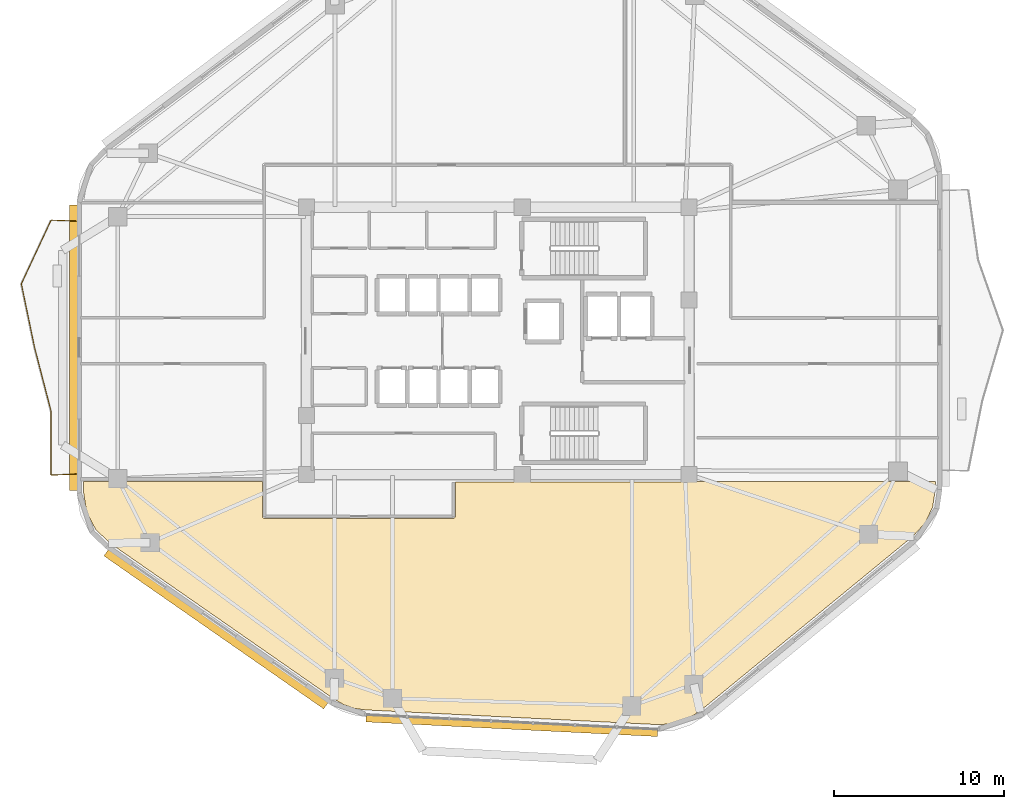
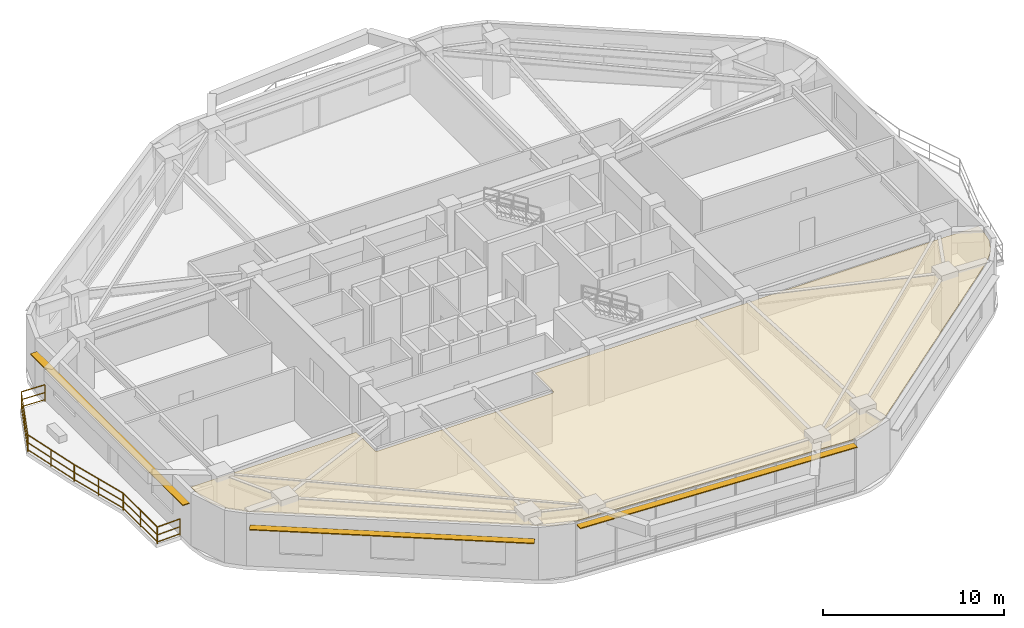
# One storey, part 12 of 14: 6 railings, 3 shading devices, 1 covering.
"""IFC4 building model written with IfcOpenShell, lengths in metres."""

import ifcopenshell
import ifcopenshell.guid

model = None  # the IFC model being written
_history = None  # IfcOwnerHistory: only IFC2X3 demands one
_inside = {}  # id of a spatial element -> (the spatial element, [elements in it])
_under = {}  # id of a project, library or spatial element -> (it, [spatial elements below it])
_declared = {}  # id of a project -> (the project, [libraries it declares])
_typed = {}  # id of a type object -> (the type object, [elements of that type])
_made_of = {}  # id of a material, layer set ... -> (it, [elements and type objects made of it])


def new_model(schema):
    """Start an empty IFC model of exactly this schema.

    Asked for "IFC4X3", IfcOpenShell would pick the latest addendum, in which some entities
    have other attributes; the version numbers below select the first issue.
    IFC2X3 requires an IfcOwnerHistory on every rooted entity: one is made here for all.
    """
    global model, _history
    if schema == "IFC4X3":
        model = ifcopenshell.file(schema_version=(4, 3, 0, 0))
    else:
        model = ifcopenshell.file(schema=schema)
    _inside.clear()
    _under.clear()
    _declared.clear()
    _typed.clear()
    _made_of.clear()
    _history = None
    if model.schema == "IFC2X3":
        org = make("IfcOrganization", Name="unknown")
        user = make(
            "IfcPersonAndOrganization",
            ThePerson=make("IfcPerson", FamilyName="unknown"),
            TheOrganization=org,
        )
        app = make(
            "IfcApplication",
            ApplicationDeveloper=org,
            Version="unknown",
            ApplicationFullName="unknown",
            ApplicationIdentifier="unknown",
        )
        _history = make(
            "IfcOwnerHistory",
            OwningUser=user,
            OwningApplication=app,
            ChangeAction="ADDED",
            CreationDate=0,
        )
    return model


def make(cls, **values):
    """One entity of the class cls with the attributes given. An attribute that is None is left unset."""
    return model.create_entity(
        cls, **{name: value for name, value in values.items() if value is not None}
    )


def rooted(cls, **values):
    """An entity with a GlobalId (a new one), such as an element, a storey or a relation."""
    return make(cls, GlobalId=ifcopenshell.guid.new(), OwnerHistory=_history, **values)


def si_unit(unit_type, name, prefix=None):
    """IfcSIUnit, for example si_unit("LENGTHUNIT", "METRE", prefix="MILLI")."""
    return make("IfcSIUnit", UnitType=unit_type, Prefix=prefix, Name=name)


def assignment(units):
    """IfcUnitAssignment: the units of a project."""
    return None if units is None else make("IfcUnitAssignment", Units=units)


def point(xyz):
    """IfcCartesianPoint."""
    return None if xyz is None else make("IfcCartesianPoint", Coordinates=xyz)


def direction(xyz):
    """IfcDirection."""
    return None if xyz is None else make("IfcDirection", DirectionRatios=xyz)


def frame(location, z_axis=None, x_axis=None):
    """IfcAxis2Placement3D, a coordinate frame: its origin and axes. An axis left out is left unset."""
    return make(
        "IfcAxis2Placement3D",
        Location=point(location),
        Axis=direction(z_axis),
        RefDirection=direction(x_axis),
    )


def frame_2d(location, x_axis=None):
    """IfcAxis2Placement2D, a coordinate frame in the plane: its origin and x axis."""
    return make(
        "IfcAxis2Placement2D", Location=point(location), RefDirection=direction(x_axis)
    )


def origin():
    """The frame at (0, 0, 0) with its axes left unset."""
    return frame((0.0, 0.0, 0.0))


def origin_2d():
    """The frame at (0, 0) in the plane with its x axis left unset."""
    return frame_2d((0.0, 0.0))


def place(relative_to, where):
    """IfcLocalPlacement: puts the frame where relative to a parent placement (None: the world)."""
    return make(
        "IfcLocalPlacement", PlacementRelTo=relative_to, RelativePlacement=where
    )


def context(
    kind, dimensions, precision=None, world=None, true_north=None, identifier=None
):
    """IfcGeometricRepresentationContext, for example the 3D "Model" context."""
    return make(
        "IfcGeometricRepresentationContext",
        ContextIdentifier=identifier,
        ContextType=kind,
        CoordinateSpaceDimension=dimensions,
        Precision=precision,
        WorldCoordinateSystem=world,
        TrueNorth=true_north,
    )


def subcontext(parent, identifier, kind, view, scale=None):
    """IfcGeometricRepresentationSubContext, for example "Body" below "Model"."""
    return make(
        "IfcGeometricRepresentationSubContext",
        ContextIdentifier=identifier,
        ContextType=kind,
        ParentContext=parent,
        TargetScale=scale,
        TargetView=view,
    )


def project(units=None, contexts=None):
    """IfcProject with its units and contexts."""
    return rooted(
        "IfcProject",
        Name="project",
        RepresentationContexts=contexts,
        UnitsInContext=assignment(units),
    )


def spatial(cls, under=None, at=None, **own):
    """A site, building, storey or space (cls), placed at a placement, below another one or the project."""
    s = rooted(cls, ObjectPlacement=at, **own)
    if under is not None:
        _under.setdefault(under.id(), (under, []))[1].append(s)
    return s


def polyline(points):
    """IfcPolyline through the points."""
    return make("IfcPolyline", Points=[point(p) for p in points])


def profile(cls, at=None, kind="AREA", **sizes):
    """A parametric profile (cls). Its sizes go by their IFC names, for example OverallWidth=200.0."""
    return make(cls, ProfileType=kind, Position=at, **sizes)


def rectangle(**sizes):
    """IfcRectangleProfileDef."""
    return profile("IfcRectangleProfileDef", **sizes)


def outline(outer, holes=None, kind="AREA"):
    """IfcArbitraryClosedProfileDef: a profile drawn as a closed curve; with holes, ...WithVoids."""
    if holes is None:
        return make("IfcArbitraryClosedProfileDef", ProfileType=kind, OuterCurve=outer)
    return make(
        "IfcArbitraryProfileDefWithVoids",
        ProfileType=kind,
        OuterCurve=outer,
        InnerCurves=holes,
    )


def extrude(swept, where, along, depth):
    """IfcExtrudedAreaSolid: the profile swept, set in the frame where, extruded along a direction by depth."""
    return make(
        "IfcExtrudedAreaSolid",
        SweptArea=swept,
        Position=where,
        ExtrudedDirection=direction(along),
        Depth=depth,
    )


def shape(context_of_items, identifier, shape_type, items):
    """IfcShapeRepresentation: the items that make up one representation, for example the "Body"."""
    return make(
        "IfcShapeRepresentation",
        ContextOfItems=context_of_items,
        RepresentationIdentifier=identifier,
        RepresentationType=shape_type,
        Items=items,
    )


def material(Name=None, Category=None):
    """IfcMaterial."""
    return make("IfcMaterial", Name=Name, Category=Category)


def layer(
    of_material, thickness, ventilated=None, Name=None, Category=None, Priority=None
):
    """IfcMaterialLayer: one layer of a wall or slab, of a material (None: an air gap)."""
    return make(
        "IfcMaterialLayer",
        Material=of_material,
        LayerThickness=thickness,
        IsVentilated=ventilated,
        Name=Name,
        Category=Category,
        Priority=Priority,
    )


def layer_set(layers, Name=None):
    """IfcMaterialLayerSet."""
    return make("IfcMaterialLayerSet", MaterialLayers=layers, LayerSetName=Name)


def made_of(thing, what):
    """Note that an element or type object is made of a material, layer set ...; save() writes the relation."""
    if what is not None:
        _made_of.setdefault(what.id(), (what, []))[1].append(thing)
    return thing


def type_object(cls, material=None, **own):
    """A type object (cls), such as IfcWallType, which elements share."""
    return made_of(rooted(cls, **own), material)


def element(
    cls,
    number,
    at=None,
    inside=None,
    cuts=None,
    type_object=None,
    material=None,
    context=None,
    identifier="Body",
    shape_type=None,
    held_by="IfcProductDefinitionShape",
    body=None,
    shapes=None,
    **own,
):
    """One element of the class cls, such as IfcWall. Its Tag is "e" and its number.

    at: its placement. inside: the storey or other place that contains it. cuts: it is an
    opening in that element (IfcRelVoidsElement). A single representation is given by context,
    identifier, shape_type and body (its items); several are given by shapes. held_by: the class
    of the entity that holds the representations. save() writes the other relations.
    """
    e = rooted(cls, Tag="e%d" % number, ObjectPlacement=at, **own)
    if body is not None:
        shapes = [shape(context, identifier, shape_type, body)]
    if shapes is not None:
        e.Representation = make(held_by, Representations=shapes)
    if inside is not None:
        _inside.setdefault(inside.id(), (inside, []))[1].append(e)
    if cuts is not None:
        rooted(
            "IfcRelVoidsElement", RelatingBuildingElement=cuts, RelatedOpeningElement=e
        )
    if type_object is not None:
        _typed.setdefault(type_object.id(), (type_object, []))[1].append(e)
    return made_of(e, material)


def aggregate(whole, parts):
    """IfcRelAggregates: a whole, such as a stair, and the parts it consists of."""
    return rooted("IfcRelAggregates", RelatingObject=whole, RelatedObjects=parts)


def save(model, path):
    """Write the relations noted so far, then the file.

    IfcRelAggregates (storeys below a building ...), IfcRelContainedInSpatialStructure (elements
    in a storey), IfcRelDefinesByType, IfcRelAssociatesMaterial and IfcRelDeclares: one each for
    every whole, place, type object, material and project.
    """
    for whole, parts in _under.values():
        aggregate(whole, parts)
    for where, things in _inside.values():
        rooted(
            "IfcRelContainedInSpatialStructure",
            RelatedElements=things,
            RelatingStructure=where,
        )
    for kind, things in _typed.values():
        rooted("IfcRelDefinesByType", RelatedObjects=things, RelatingType=kind)
    for what, things in _made_of.values():
        rooted("IfcRelAssociatesMaterial", RelatedObjects=things, RelatingMaterial=what)
    for by, libraries in _declared.values():
        rooted("IfcRelDeclares", RelatingContext=by, RelatedDefinitions=libraries)
    model.write(path)


model = new_model("IFC4")

# Units and contexts
model_context = context("Model", 3, precision=1e-05, world=origin(), true_north=direction((0.0, 1.0)))
body_context = subcontext(model_context, "Body", "Model", "MODEL_VIEW")
ifc_project = project(units=[si_unit("LENGTHUNIT", "METRE"), si_unit("AREAUNIT", "SQUARE_METRE"), si_unit("VOLUMEUNIT", "CUBIC_METRE"), si_unit("PLANEANGLEUNIT", "RADIAN"), si_unit("MASSUNIT", "GRAM", prefix="KILO")], contexts=[model_context])

# Site, building, storey
site_placement = place(None, origin())
site = spatial("IfcSite", under=ifc_project, at=site_placement, CompositionType="ELEMENT")
building_placement = place(site_placement, origin())
building = spatial("IfcBuilding", under=site, at=building_placement, Name="Zulverin Broadcast Headquarters", CompositionType="ELEMENT")
storey_placement = place(building_placement, frame((0.0, 0.0, 140.199951171875)))
storey = spatial("IfcBuildingStorey", under=building, at=storey_placement, Name="L35", CompositionType="ELEMENT", Elevation=140.199951171875)

# Covering
ifc_material_1 = material(Name="Perforated pale-metal acoustic baffle ceiling", Category="aluminium")
ifc_layer_1 = layer(ifc_material_1, 0.0400390625, Name="Perforated pale-metal acoustic baffle ceiling", Category="aluminium")
ifc_layer_set_1 = layer_set([ifc_layer_1], Name="Perforated pale-metal acoustic baffle ceiling")
covering_type = type_object("IfcCoveringType", Name="COV-CEIL-ACOU", PredefinedType="CEILING", material=ifc_layer_set_1)
covering_placement = place(storey_placement, frame((0.0, 0.0, 3.360107421875)))
element("IfcCovering", 1, at=covering_placement, inside=storey, type_object=covering_type, Name="L35 Acoustic Baffle Ceiling 03", PredefinedType="CEILING", context=body_context, shape_type="SweptSolid", body=[
    extrude(outline(polyline([(23.132080078125, 14.864013671875), (23.132080078125, 14.8759765625), (23.132080078125, 16.89990234375), (12.60009765625, 16.89990234375), (12.60009765625, 16.219970703125), (12.783935546875, 15.087890625), (13.300048828125, 14.095947265625), (14.1240234375, 13.2958984375), (27.367919921875, 4.075927734375), (27.947998046875, 3.748046875), (28.56396484375, 3.535888671875), (29.22802734375, 3.444091796875), (46.49609375, 2.575927734375), (47.3720703125, 2.639892578125), (48.18798828125, 2.907958984375), (48.931884765625, 3.3798828125), (61.49609375, 13.696044921875), (62.2080078125, 14.47607421875), (62.64404296875, 15.404052734375), (62.800048828125, 16.444091796875), (62.800048828125, 16.89990234375), (48.635986328125, 16.89990234375), (48.6279296875, 16.89599609375), (48.6201171875, 16.89208984375), (48.612060546875, 16.887939453125), (48.60009765625, 16.884033203125), (48.592041015625, 16.884033203125), (48.580078125, 16.8798828125), (48.568115234375, 16.8798828125), (34.52001953125, 16.8798828125), (34.52001953125, 14.8798828125), (34.52001953125, 14.867919921875), (34.51611328125, 14.85595703125), (34.51611328125, 14.847900390625), (34.511962890625, 14.8359375), (34.508056640625, 14.827880859375), (34.50390625, 14.820068359375), (34.5, 14.81201171875), (34.491943359375, 14.800048828125), (34.488037109375, 14.7919921875), (34.47998046875, 14.783935546875), (34.471923828125, 14.77587890625), (34.464111328125, 14.76806640625), (34.4560546875, 14.763916015625), (34.444091796875, 14.751953125), (34.431884765625, 14.748046875), (34.419921875, 14.739990234375), (34.412109375, 14.736083984375), (34.39990234375, 14.736083984375), (34.387939453125, 14.73193359375), (34.3759765625, 14.73193359375), (23.27587890625, 14.73193359375), (23.263916015625, 14.73193359375), (23.251953125, 14.736083984375), (23.243896484375, 14.736083984375), (23.23193359375, 14.739990234375), (23.22412109375, 14.743896484375), (23.2080078125, 14.751953125), (23.196044921875, 14.760009765625), (23.18798828125, 14.763916015625), (23.179931640625, 14.77197265625), (23.172119140625, 14.780029296875), (23.1640625, 14.7880859375), (23.159912109375, 14.7958984375), (23.152099609375, 14.80810546875), (23.14794921875, 14.81591796875), (23.14404296875, 14.823974609375), (23.139892578125, 14.83203125), (23.135986328125, 14.843994140625), (23.135986328125, 14.85205078125), (23.132080078125, 14.864013671875)])), origin(), (0.0, 0.0, 1.0), 0.0400390625),
])

# Railings
ifc_material_2 = material(Name="Brushed stainless steel & laminated glass balustrade", Category="steel")
railing_type = type_object("IfcRailingType", Name="RL-GUARD-1150", PredefinedType="GUARDRAIL", material=ifc_material_2)
railing_1_placement = place(storey_placement, frame((12.159912109375, 32.2587890625, 0.0)))
element("IfcRailing", 2, at=railing_1_placement, inside=storey, type_object=railing_type, Name="L35 Vertical-Forest Balcony Guardrail BAL_W Segment 01", PredefinedType="GUARDRAIL", context=body_context, shape_type="SweptSolid", body=[
    extrude(rectangle(XDim=0.048095703125, YDim=0.048095703125, at=origin_2d()), frame((0.0, 0.0, 1.1259765625), z_axis=(-0.999174135318, 0.040633081503, 0.0), x_axis=(-0.040633081503, -0.999174135318, 0.0)), (0.0, 0.0, 1.0), 1.466064453125),
    extrude(rectangle(XDim=0.0419921875, YDim=0.0419921875, at=origin_2d()), frame((0.0, 0.0, 0.597900390625), z_axis=(-0.999174135318, 0.040633081503, 0.0), x_axis=(-0.040633081503, -0.999174135318, 0.0)), (0.0, 0.0, 1.0), 1.466064453125),
    extrude(rectangle(XDim=0.0419921875, YDim=0.0419921875, at=origin_2d()), frame((0.0, 0.0, 0.1201171875), z_axis=(-0.999174135318, 0.040633081503, 0.0), x_axis=(-0.040633081503, -0.999174135318, 0.0)), (0.0, 0.0, 1.0), 1.466064453125),
    extrude(rectangle(XDim=0.0419921875, YDim=0.0419921875, at=origin_2d()), origin(), (0.0, 0.0, 1.0), 1.101806640625),
    extrude(rectangle(XDim=0.0419921875, YDim=0.0419921875, at=origin_2d()), frame((-1.46484375, 0.0595703125, 0.0)), (0.0, 0.0, 1.0), 1.101806640625),
])
railing_2_placement = place(storey_placement, frame((10.673583984375, 32.305419921875, 0.0)))
element("IfcRailing", 3, at=railing_2_placement, inside=storey, type_object=railing_type, Name="L35 Vertical-Forest Balcony Guardrail BAL_W Segment 02", PredefinedType="GUARDRAIL", context=body_context, shape_type="SweptSolid", body=[
    extrude(rectangle(XDim=0.048095703125, YDim=0.048095703125, at=origin_2d()), frame((0.0, 0.0, 1.1259765625), z_axis=(-0.422904942292, -0.906174050492, 0.0), x_axis=(0.906174050492, -0.422904942292, 0.0)), (0.0, 0.0, 1.0), 4.1171875),
    extrude(rectangle(XDim=0.0419921875, YDim=0.0419921875, at=origin_2d()), frame((0.0, 0.0, 0.597900390625), z_axis=(-0.422904942292, -0.906174050492, 0.0), x_axis=(0.906174050492, -0.422904942292, 0.0)), (0.0, 0.0, 1.0), 4.1171875),
    extrude(rectangle(XDim=0.0419921875, YDim=0.0419921875, at=origin_2d()), frame((0.0, 0.0, 0.1201171875), z_axis=(-0.422904942292, -0.906174050492, 0.0), x_axis=(0.906174050492, -0.422904942292, 0.0)), (0.0, 0.0, 1.0), 4.1171875),
    extrude(rectangle(XDim=0.0419921875, YDim=0.0419921875, at=origin_2d()), origin(), (0.0, 0.0, 1.0), 1.101806640625),
    extrude(rectangle(XDim=0.0419921875, YDim=0.0419921875, at=origin_2d()), frame((-0.87060546875, -1.865478515625, 0.0)), (0.0, 0.0, 1.0), 1.101806640625),
    extrude(rectangle(XDim=0.0419921875, YDim=0.0419921875, at=origin_2d()), frame((-1.7412109375, -3.73095703125, 0.0)), (0.0, 0.0, 1.0), 1.101806640625),
])
railing_3_placement = place(storey_placement, frame((8.92919921875, 28.546142578125, 0.0)))
element("IfcRailing", 4, at=railing_3_placement, inside=storey, type_object=railing_type, Name="L35 Vertical-Forest Balcony Guardrail BAL_W Segment 03", PredefinedType="GUARDRAIL", context=body_context, shape_type="SweptSolid", body=[
    extrude(rectangle(XDim=0.048095703125, YDim=0.048095703125, at=origin_2d()), frame((0.0, 0.0, 1.1259765625), z_axis=(0.203421714461, -0.979091214385, 0.0), x_axis=(0.979091214385, 0.203421714461, 0.0)), (0.0, 0.0, 1.0), 3.80810546875),
    extrude(rectangle(XDim=0.0419921875, YDim=0.0419921875, at=origin_2d()), frame((0.0, 0.0, 0.597900390625), z_axis=(0.203421714461, -0.979091214385, 0.0), x_axis=(0.979091214385, 0.203421714461, 0.0)), (0.0, 0.0, 1.0), 3.80810546875),
    extrude(rectangle(XDim=0.0419921875, YDim=0.0419921875, at=origin_2d()), frame((0.0, 0.0, 0.1201171875), z_axis=(0.203421714461, -0.979091214385, 0.0), x_axis=(0.979091214385, 0.203421714461, 0.0)), (0.0, 0.0, 1.0), 3.80810546875),
    extrude(rectangle(XDim=0.0419921875, YDim=0.0419921875, at=origin_2d()), origin(), (0.0, 0.0, 1.0), 1.101806640625),
    extrude(rectangle(XDim=0.0419921875, YDim=0.0419921875, at=origin_2d()), frame((0.38720703125, -1.8642578125, 0.0)), (0.0, 0.0, 1.0), 1.101806640625),
    extrude(rectangle(XDim=0.0419921875, YDim=0.0419921875, at=origin_2d()), frame((0.774658203125, -3.728515625, 0.0)), (0.0, 0.0, 1.0), 1.101806640625),
])
railing_4_placement = place(storey_placement, frame((9.710693359375, 24.788330078125, 0.0)))
element("IfcRailing", 5, at=railing_4_placement, inside=storey, type_object=railing_type, Name="L35 Vertical-Forest Balcony Guardrail BAL_W Segment 04", PredefinedType="GUARDRAIL", context=body_context, shape_type="SweptSolid", body=[
    extrude(rectangle(XDim=0.048095703125, YDim=0.048095703125, at=origin_2d()), frame((0.0, 0.0, 1.1259765625), z_axis=(0.250669603458, -0.968072698666, 0.0), x_axis=(0.968072698666, 0.250669603458, 0.0)), (0.0, 0.0, 1.0), 3.85205078125),
    extrude(rectangle(XDim=0.0419921875, YDim=0.0419921875, at=origin_2d()), frame((0.0, 0.0, 0.597900390625), z_axis=(0.250669603458, -0.968072698666, 0.0), x_axis=(0.968072698666, 0.250669603458, 0.0)), (0.0, 0.0, 1.0), 3.85205078125),
    extrude(rectangle(XDim=0.0419921875, YDim=0.0419921875, at=origin_2d()), frame((0.0, 0.0, 0.1201171875), z_axis=(0.250669603458, -0.968072698666, 0.0), x_axis=(0.968072698666, 0.250669603458, 0.0)), (0.0, 0.0, 1.0), 3.85205078125),
    extrude(rectangle(XDim=0.0419921875, YDim=0.0419921875, at=origin_2d()), origin(), (0.0, 0.0, 1.0), 1.101806640625),
    extrude(rectangle(XDim=0.0419921875, YDim=0.0419921875, at=origin_2d()), frame((0.48291015625, -1.864501953125, 0.0)), (0.0, 0.0, 1.0), 1.101806640625),
    extrude(rectangle(XDim=0.0419921875, YDim=0.0419921875, at=origin_2d()), frame((0.965576171875, -3.72900390625, 0.0)), (0.0, 0.0, 1.0), 1.101806640625),
])
railing_5_placement = place(storey_placement, frame((10.679931640625, 21.02978515625, 0.0)))
element("IfcRailing", 6, at=railing_5_placement, inside=storey, type_object=railing_type, Name="L35 Vertical-Forest Balcony Guardrail BAL_W Segment 05", PredefinedType="GUARDRAIL", context=body_context, shape_type="SweptSolid", body=[
    extrude(rectangle(XDim=0.048095703125, YDim=0.048095703125, at=origin_2d()), frame((0.0, 0.0, 1.1259765625), z_axis=(0.0, -1.0, 0.0), x_axis=(1.0, 0.0, 0.0)), (0.0, 0.0, 1.0), 3.727783203125),
    extrude(rectangle(XDim=0.0419921875, YDim=0.0419921875, at=origin_2d()), frame((0.0, 0.0, 0.597900390625), z_axis=(0.0, -1.0, 0.0), x_axis=(1.0, 0.0, 0.0)), (0.0, 0.0, 1.0), 3.727783203125),
    extrude(rectangle(XDim=0.0419921875, YDim=0.0419921875, at=origin_2d()), frame((0.0, 0.0, 0.1201171875), z_axis=(0.0, -1.0, 0.0), x_axis=(1.0, 0.0, 0.0)), (0.0, 0.0, 1.0), 3.727783203125),
    extrude(rectangle(XDim=0.0419921875, YDim=0.0419921875, at=origin_2d()), origin(), (0.0, 0.0, 1.0), 1.101806640625),
    extrude(rectangle(XDim=0.0419921875, YDim=0.0419921875, at=origin_2d()), frame((0.0, -1.86376953125, 0.0)), (0.0, 0.0, 1.0), 1.101806640625),
    extrude(rectangle(XDim=0.0419921875, YDim=0.0419921875, at=origin_2d()), frame((0.0, -3.727783203125, 0.0)), (0.0, 0.0, 1.0), 1.101806640625),
])
railing_6_placement = place(storey_placement, frame((10.695068359375, 17.28759765625, 0.0)))
element("IfcRailing", 7, at=railing_6_placement, inside=storey, type_object=railing_type, Name="L35 Vertical-Forest Balcony Guardrail BAL_W Segment 06", PredefinedType="GUARDRAIL", context=body_context, shape_type="SweptSolid", body=[
    extrude(rectangle(XDim=0.048095703125, YDim=0.048095703125, at=origin_2d()), frame((0.0, 0.0, 1.1259765625), z_axis=(0.99918088253, 0.040466825742, 0.0), x_axis=(-0.040466825742, 0.99918088253, 0.0)), (0.0, 0.0, 1.0), 1.466064453125),
    extrude(rectangle(XDim=0.0419921875, YDim=0.0419921875, at=origin_2d()), frame((0.0, 0.0, 0.597900390625), z_axis=(0.99918088253, 0.040466825742, 0.0), x_axis=(-0.040466825742, 0.99918088253, 0.0)), (0.0, 0.0, 1.0), 1.466064453125),
    extrude(rectangle(XDim=0.0419921875, YDim=0.0419921875, at=origin_2d()), frame((0.0, 0.0, 0.1201171875), z_axis=(0.99918088253, 0.040466825742, 0.0), x_axis=(-0.040466825742, 0.99918088253, 0.0)), (0.0, 0.0, 1.0), 1.466064453125),
    extrude(rectangle(XDim=0.0419921875, YDim=0.0419921875, at=origin_2d()), origin(), (0.0, 0.0, 1.0), 1.101806640625),
    extrude(rectangle(XDim=0.0419921875, YDim=0.0419921875, at=origin_2d()), frame((1.46484375, 0.059326171875, 0.0)), (0.0, 0.0, 1.0), 1.101806640625),
])

# Shading devices
ifc_material_3 = material(Name="Anodized pale-metal aluminium sunshade", Category="aluminium")
ifc_layer_2 = layer(ifc_material_3, 0.06005859375, Name="Anodized pale-metal aluminium sunshade", Category="aluminium")
ifc_layer_set_2 = layer_set([ifc_layer_2], Name="Anodized pale-metal aluminium sunshade")
shading_device_type = type_object("IfcShadingDeviceType", Name="SS-01_PALE_METAL_ALUMINIUM_SUNSHADE", PredefinedType="USERDEFINED", material=ifc_layer_set_2)
shading_device_1_placement = place(storey_placement, frame((37.83935546875, 2.52978515625, 3.31005859375), z_axis=(0.0, 0.0, 1.0), x_axis=(0.99874387485, -0.050106610841, 0.0)))
element("IfcShadingDevice", 8, at=shading_device_1_placement, inside=storey, type_object=shading_device_type, Name="L35 Pale-Metal Horizontal Sunshade Band CW-L35-E1", ObjectType="SUNSHADE", PredefinedType="USERDEFINED", context=body_context, shape_type="SweptSolid", body=[
    extrude(rectangle(XDim=17.19287109375, YDim=0.449951171875, at=origin_2d()), origin(), (0.0, 0.0, 1.0), 0.06005859375),
])
shading_device_2_placement = place(storey_placement, frame((12.0, 24.802978515625, 2.7099609375), z_axis=(0.0, 0.0, 1.0), x_axis=(0.0, -1.0, 0.0)))
element("IfcShadingDevice", 9, at=shading_device_2_placement, inside=storey, type_object=shading_device_type, Name="L35 Horizontal Pale-Metal Sunshade Band 7", ObjectType="SUNSHADE", PredefinedType="USERDEFINED", context=body_context, shape_type="SweptSolid", body=[
    extrude(rectangle(XDim=16.83203125, YDim=0.449951171875, at=origin_2d()), origin(), (0.0, 0.0, 1.0), 0.06005859375),
])
shading_device_3_placement = place(storey_placement, frame((20.399169921875, 8.1982421875, 2.7099609375), z_axis=(0.0, 0.0, 1.0), x_axis=(0.820695732456, -0.57136548262, 0.0)))
element("IfcShadingDevice", 10, at=shading_device_3_placement, inside=storey, type_object=shading_device_type, Name="L35 Horizontal Pale-Metal Sunshade Band 8", ObjectType="SUNSHADE", PredefinedType="USERDEFINED", context=body_context, shape_type="SweptSolid", body=[
    extrude(rectangle(XDim=15.785400390625, YDim=0.449951171875, at=origin_2d()), origin(), (0.0, 0.0, 1.0), 0.06005859375),
])

save(model, "model.ifc")
